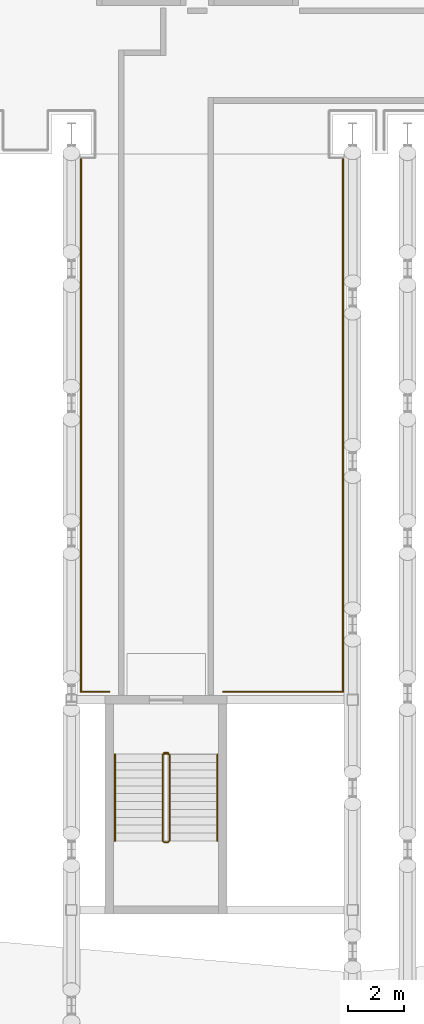
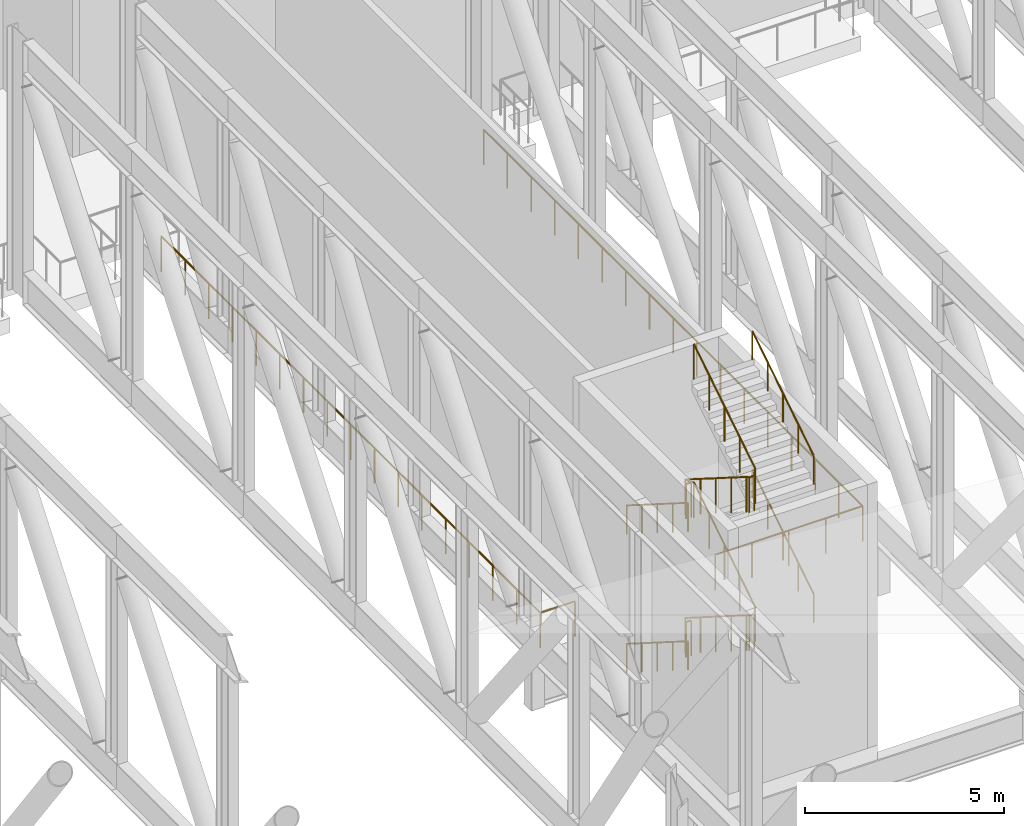
# One storey, part 24 of 33: 10 railings.
"""IFC4 building model written with IfcOpenShell, lengths in metres."""

from ifc_helpers import new_model, si_unit, direction, frame, origin, origin_2d, place, context, subcontext, project, spatial, circle, extrude, material, type_object, element, save


model = new_model("IFC4")

# Units and contexts
model_context = context("Model", 3, precision=1e-05, world=origin(), true_north=direction((0.0, 1.0)))
body_context = subcontext(model_context, "Body", "Model", "MODEL_VIEW")
ifc_project = project(units=[si_unit("LENGTHUNIT", "METRE"), si_unit("AREAUNIT", "SQUARE_METRE"), si_unit("VOLUMEUNIT", "CUBIC_METRE"), si_unit("PLANEANGLEUNIT", "RADIAN"), si_unit("MASSUNIT", "GRAM", prefix="KILO")], contexts=[model_context])

# Site, building, storey
site_placement = place(None, origin())
site = spatial("IfcSite", under=ifc_project, at=site_placement, CompositionType="ELEMENT")
building_placement = place(site_placement, origin())
building = spatial("IfcBuilding", under=site, at=building_placement, Name="Wharfspan Tower", CompositionType="ELEMENT")
storey_placement = place(building_placement, frame((0.0, 0.0, 33.0)))
storey = spatial("IfcBuildingStorey", under=building, at=storey_placement, Name="L05", CompositionType="ELEMENT", Elevation=33.0)

# Railings
ifc_material = material(Name="Steel S355J2", Category="steel")
railing_type_1 = type_object("IfcRailingType", Name="GUARD 1100 STEEL AND GLASS", PredefinedType="GUARDRAIL", material=ifc_material)
railing_1_placement = place(storey_placement, frame((45.701904, 25.060059, 0.0)))
element("IfcRailing", 1, at=railing_1_placement, inside=storey, type_object=railing_type_1, Name="Guard on the deck edge", PredefinedType="GUARDRAIL", context=body_context, shape_type="SweptSolid", body=[
    extrude(circle(Radius=0.024902, at=origin_2d()), frame((0.0, 0.0, 1.075195), z_axis=(0.0, -1.0, 0.0), x_axis=(1.0, 0.0, 0.0)), (0.0, 0.0, 1.0), 19.05957),
    extrude(circle(Radius=0.02002, at=origin_2d()), origin(), (0.0, 0.0, 1.0), 1.050049),
    extrude(circle(Radius=0.02002, at=origin_2d()), frame((0.0, -1.191162, 0.0)), (0.0, 0.0, 1.0), 1.050049),
    extrude(circle(Radius=0.02002, at=origin_2d()), frame((0.0, -2.382324, 0.0)), (0.0, 0.0, 1.0), 1.050049),
    extrude(circle(Radius=0.02002, at=origin_2d()), frame((0.0, -3.57373, 0.0)), (0.0, 0.0, 1.0), 1.050049),
    extrude(circle(Radius=0.02002, at=origin_2d()), frame((0.0, -4.764893, 0.0)), (0.0, 0.0, 1.0), 1.050049),
    extrude(circle(Radius=0.02002, at=origin_2d()), frame((0.0, -5.956055, 0.0)), (0.0, 0.0, 1.0), 1.050049),
    extrude(circle(Radius=0.02002, at=origin_2d()), frame((0.0, -7.147461, 0.0)), (0.0, 0.0, 1.0), 1.050049),
    extrude(circle(Radius=0.02002, at=origin_2d()), frame((0.0, -8.338623, 0.0)), (0.0, 0.0, 1.0), 1.050049),
    extrude(circle(Radius=0.02002, at=origin_2d()), frame((0.0, -9.529785, 0.0)), (0.0, 0.0, 1.0), 1.050049),
    extrude(circle(Radius=0.02002, at=origin_2d()), frame((0.0, -10.720947, 0.0)), (0.0, 0.0, 1.0), 1.050049),
    extrude(circle(Radius=0.02002, at=origin_2d()), frame((0.0, -11.912109, 0.0)), (0.0, 0.0, 1.0), 1.050049),
    extrude(circle(Radius=0.02002, at=origin_2d()), frame((0.0, -13.103516, 0.0)), (0.0, 0.0, 1.0), 1.050049),
    extrude(circle(Radius=0.02002, at=origin_2d()), frame((0.0, -14.294678, 0.0)), (0.0, 0.0, 1.0), 1.050049),
    extrude(circle(Radius=0.02002, at=origin_2d()), frame((0.0, -15.48584, 0.0)), (0.0, 0.0, 1.0), 1.050049),
    extrude(circle(Radius=0.02002, at=origin_2d()), frame((0.0, -16.677246, 0.0)), (0.0, 0.0, 1.0), 1.050049),
    extrude(circle(Radius=0.02002, at=origin_2d()), frame((0.0, -17.868408, 0.0)), (0.0, 0.0, 1.0), 1.050049),
    extrude(circle(Radius=0.02002, at=origin_2d()), frame((0.0, -19.05957, 0.0)), (0.0, 0.0, 1.0), 1.050049),
])
railing_2_placement = place(storey_placement, frame((45.701904, 6.000488, 0.0)))
element("IfcRailing", 2, at=railing_2_placement, inside=storey, type_object=railing_type_1, Name="Guard on the deck edge", PredefinedType="GUARDRAIL", context=body_context, shape_type="SweptSolid", body=[
    extrude(circle(Radius=0.024902, at=origin_2d()), frame((0.0, 0.0, 1.075195), z_axis=(-1.0, 0.0, 0.0), x_axis=(0.0, -1.0, 0.0)), (0.0, 0.0, 1.0), 4.283691),
    extrude(circle(Radius=0.02002, at=origin_2d()), origin(), (0.0, 0.0, 1.0), 1.050049),
    extrude(circle(Radius=0.02002, at=origin_2d()), frame((-1.070801, 0.0, 0.0)), (0.0, 0.0, 1.0), 1.050049),
    extrude(circle(Radius=0.02002, at=origin_2d()), frame((-2.141846, 0.0, 0.0)), (0.0, 0.0, 1.0), 1.050049),
    extrude(circle(Radius=0.02002, at=origin_2d()), frame((-3.212891, 0.0, 0.0)), (0.0, 0.0, 1.0), 1.050049),
    extrude(circle(Radius=0.02002, at=origin_2d()), frame((-4.283691, 0.0, 0.0)), (0.0, 0.0, 1.0), 1.050049),
])
railing_3_placement = place(storey_placement, frame((37.348389, 6.000488, 0.0)))
element("IfcRailing", 3, at=railing_3_placement, inside=storey, type_object=railing_type_1, Name="Guard on the deck edge", PredefinedType="GUARDRAIL", context=body_context, shape_type="SweptSolid", body=[
    extrude(circle(Radius=0.024902, at=origin_2d()), frame((0.0, 0.0, 1.075195), z_axis=(-1.0, 0.0, 0.0), x_axis=(0.0, -1.0, 0.0)), (0.0, 0.0, 1.0), 1.008301),
    extrude(circle(Radius=0.02002, at=origin_2d()), origin(), (0.0, 0.0, 1.0), 1.050049),
    extrude(circle(Radius=0.02002, at=origin_2d()), frame((-1.008301, 0.0, 0.0)), (0.0, 0.0, 1.0), 1.050049),
])
railing_4_placement = place(storey_placement, frame((36.340088, 6.000488, 0.0)))
element("IfcRailing", 4, at=railing_4_placement, inside=storey, type_object=railing_type_1, Name="Guard on the deck edge", PredefinedType="GUARDRAIL", context=body_context, shape_type="SweptSolid", body=[
    extrude(circle(Radius=0.024902, at=origin_2d()), frame((0.0, 0.0, 1.075195), z_axis=(0.0, 1.0, 0.0), x_axis=(-1.0, 0.0, 0.0)), (0.0, 0.0, 1.0), 19.05957),
    extrude(circle(Radius=0.02002, at=origin_2d()), origin(), (0.0, 0.0, 1.0), 1.050049),
    extrude(circle(Radius=0.02002, at=origin_2d()), frame((0.0, 1.191162, 0.0)), (0.0, 0.0, 1.0), 1.050049),
    extrude(circle(Radius=0.02002, at=origin_2d()), frame((0.0, 2.382324, 0.0)), (0.0, 0.0, 1.0), 1.050049),
    extrude(circle(Radius=0.02002, at=origin_2d()), frame((0.0, 3.57373, 0.0)), (0.0, 0.0, 1.0), 1.050049),
    extrude(circle(Radius=0.02002, at=origin_2d()), frame((0.0, 4.764893, 0.0)), (0.0, 0.0, 1.0), 1.050049),
    extrude(circle(Radius=0.02002, at=origin_2d()), frame((0.0, 5.956055, 0.0)), (0.0, 0.0, 1.0), 1.050049),
    extrude(circle(Radius=0.02002, at=origin_2d()), frame((0.0, 7.147461, 0.0)), (0.0, 0.0, 1.0), 1.050049),
    extrude(circle(Radius=0.02002, at=origin_2d()), frame((0.0, 8.338623, 0.0)), (0.0, 0.0, 1.0), 1.050049),
    extrude(circle(Radius=0.02002, at=origin_2d()), frame((0.0, 9.529785, 0.0)), (0.0, 0.0, 1.0), 1.050049),
    extrude(circle(Radius=0.02002, at=origin_2d()), frame((0.0, 10.720947, 0.0)), (0.0, 0.0, 1.0), 1.050049),
    extrude(circle(Radius=0.02002, at=origin_2d()), frame((0.0, 11.912109, 0.0)), (0.0, 0.0, 1.0), 1.050049),
    extrude(circle(Radius=0.02002, at=origin_2d()), frame((0.0, 13.103516, 0.0)), (0.0, 0.0, 1.0), 1.050049),
    extrude(circle(Radius=0.02002, at=origin_2d()), frame((0.0, 14.294678, 0.0)), (0.0, 0.0, 1.0), 1.050049),
    extrude(circle(Radius=0.02002, at=origin_2d()), frame((0.0, 15.48584, 0.0)), (0.0, 0.0, 1.0), 1.050049),
    extrude(circle(Radius=0.02002, at=origin_2d()), frame((0.0, 16.677246, 0.0)), (0.0, 0.0, 1.0), 1.050049),
    extrude(circle(Radius=0.02002, at=origin_2d()), frame((0.0, 17.868408, 0.0)), (0.0, 0.0, 1.0), 1.050049),
    extrude(circle(Radius=0.02002, at=origin_2d()), frame((0.0, 19.05957, 0.0)), (0.0, 0.0, 1.0), 1.050049),
])
railing_type_2 = type_object("IfcRailingType", Name="Stair guard 1100", PredefinedType="GUARDRAIL", material=ifc_material)
railing_5_placement = place(storey_placement, frame((39.258301, 3.760498, 0.177002)))
element("IfcRailing", 5, at=railing_5_placement, inside=storey, type_object=railing_type_2, Name="L05 ST4 stair guard 1", PredefinedType="GUARDRAIL", context=body_context, shape_type="SweptSolid", body=[
    extrude(circle(Radius=0.023926, at=origin_2d()), frame((0.0, 0.0, 1.076172), z_axis=(0.0, -0.845137, 0.53455), x_axis=(1.0, 0.0, 0.0)), (0.0, 0.0, 1.0), 3.644287),
    extrude(circle(Radius=0.023926, at=origin_2d()), frame((0.0, -3.079834, 3.023926), z_axis=(0.707107, -0.707107, 0.0), x_axis=(0.707107, 0.707107, 0.0)), (0.0, 0.0, 1.0), 0.070801),
    extrude(circle(Radius=0.023926, at=origin_2d()), frame((0.050049, -3.129883, 3.023926), z_axis=(1.0, 0.0, 0.0), x_axis=(0.0, 1.0, 0.0)), (0.0, 0.0, 1.0), 0.149902),
    extrude(circle(Radius=0.023926, at=origin_2d()), frame((0.199951, -3.129883, 3.023926), z_axis=(0.262546, 0.262546, 0.928515), x_axis=(-0.707107, 0.707107, 0.0)), (0.0, 0.0, 1.0), 0.190674),
    extrude(circle(Radius=0.023926, at=origin_2d()), frame((0.25, -3.079834, 3.201172), z_axis=(0.0, 0.845137, 0.53455), x_axis=(-1.0, 0.0, 0.0)), (0.0, 0.0, 1.0), 3.644287),
    extrude(circle(Radius=0.023926, at=origin_2d()), frame((0.25, 0.0, 5.148926), z_axis=(-0.970073, 0.242814, 0.0), x_axis=(-0.242814, -0.970073, 0.0)), (0.0, 0.0, 1.0), 0.206055),
    extrude(circle(Radius=0.023926, at=origin_2d()), frame((0.050049, 0.050049, 5.148926), z_axis=(1.0, 0.0, 0.0), x_axis=(0.0, 1.0, 0.0)), (0.0, 0.0, 1.0), 0.149902),
    extrude(circle(Radius=0.023926, at=origin_2d()), frame((0.199951, 0.050049, 5.148926), z_axis=(-0.735955, -0.184214, 0.651487), x_axis=(0.242813, -0.970075, -3e-06)), (0.0, 0.0, 1.0), 0.271729),
    extrude(circle(Radius=0.023926, at=origin_2d()), frame((0.0, 0.0, 5.326172), z_axis=(0.0, -0.845137, 0.53455), x_axis=(1.0, 0.0, 0.0)), (0.0, 0.0, 1.0), 3.644287),
    extrude(circle(Radius=0.023926, at=origin_2d()), frame((0.0, -3.079834, 7.273926), z_axis=(0.707107, -0.707107, 0.0), x_axis=(0.707107, 0.707107, 0.0)), (0.0, 0.0, 1.0), 0.070801),
    extrude(circle(Radius=0.023926, at=origin_2d()), frame((0.050049, -3.129883, 7.273926), z_axis=(1.0, 0.0, 0.0), x_axis=(0.0, 1.0, 0.0)), (0.0, 0.0, 1.0), 0.149902),
    extrude(circle(Radius=0.023926, at=origin_2d()), frame((0.199951, -3.129883, 7.273926), z_axis=(0.262546, 0.262546, 0.928515), x_axis=(-0.707107, 0.707107, 0.0)), (0.0, 0.0, 1.0), 0.190674),
    extrude(circle(Radius=0.023926, at=origin_2d()), frame((0.25, -3.079834, 7.451172), z_axis=(0.0, 0.845137, 0.53455), x_axis=(-1.0, 0.0, 0.0)), (0.0, 0.0, 1.0), 3.644287),
    extrude(circle(Radius=0.020996, at=origin_2d()), origin(), (0.0, 0.0, 1.0), 1.052002),
    extrude(circle(Radius=0.020996, at=origin_2d()), frame((0.0, -0.77002, 0.487061)), (0.0, 0.0, 1.0), 1.052002),
    extrude(circle(Radius=0.020996, at=origin_2d()), frame((0.0, -1.540039, 0.974121)), (0.0, 0.0, 1.0), 1.052002),
    extrude(circle(Radius=0.020996, at=origin_2d()), frame((0.0, -2.309814, 1.460938)), (0.0, 0.0, 1.0), 1.052002),
    extrude(circle(Radius=0.020996, at=origin_2d()), frame((0.0, -3.079834, 1.947998)), (0.0, 0.0, 1.0), 1.052002),
    extrude(circle(Radius=0.020996, at=origin_2d()), frame((0.050049, -3.129883, 1.947998)), (0.0, 0.0, 1.0), 1.052002),
    extrude(circle(Radius=0.020996, at=origin_2d()), frame((0.199951, -3.129883, 1.947998)), (0.0, 0.0, 1.0), 1.052002),
    extrude(circle(Radius=0.020996, at=origin_2d()), frame((0.25, -3.079834, 2.125)), (0.0, 0.0, 1.0), 1.052002),
    extrude(circle(Radius=0.020996, at=origin_2d()), frame((0.25, -2.309814, 2.612061)), (0.0, 0.0, 1.0), 1.052002),
    extrude(circle(Radius=0.020996, at=origin_2d()), frame((0.25, -1.540039, 3.099121)), (0.0, 0.0, 1.0), 1.052002),
    extrude(circle(Radius=0.020996, at=origin_2d()), frame((0.25, -0.77002, 3.585938)), (0.0, 0.0, 1.0), 1.052002),
    extrude(circle(Radius=0.020996, at=origin_2d()), frame((0.25, 0.0, 4.072998)), (0.0, 0.0, 1.0), 1.052002),
    extrude(circle(Radius=0.020996, at=origin_2d()), frame((0.050049, 0.050049, 4.072998)), (0.0, 0.0, 1.0), 1.052002),
    extrude(circle(Radius=0.020996, at=origin_2d()), frame((0.199951, 0.050049, 4.072998)), (0.0, 0.0, 1.0), 1.052002),
    extrude(circle(Radius=0.020996, at=origin_2d()), frame((0.0, 0.0, 4.25)), (0.0, 0.0, 1.0), 1.052002),
    extrude(circle(Radius=0.020996, at=origin_2d()), frame((0.0, -0.77002, 4.737061)), (0.0, 0.0, 1.0), 1.052002),
    extrude(circle(Radius=0.020996, at=origin_2d()), frame((0.0, -1.540039, 5.224121)), (0.0, 0.0, 1.0), 1.052002),
    extrude(circle(Radius=0.020996, at=origin_2d()), frame((0.0, -2.309814, 5.710938)), (0.0, 0.0, 1.0), 1.052002),
    extrude(circle(Radius=0.020996, at=origin_2d()), frame((0.0, -3.079834, 6.197998)), (0.0, 0.0, 1.0), 1.052002),
    extrude(circle(Radius=0.020996, at=origin_2d()), frame((0.050049, -3.129883, 6.197998)), (0.0, 0.0, 1.0), 1.052002),
    extrude(circle(Radius=0.020996, at=origin_2d()), frame((0.199951, -3.129883, 6.197998)), (0.0, 0.0, 1.0), 1.052002),
    extrude(circle(Radius=0.020996, at=origin_2d()), frame((0.25, -3.079834, 6.375)), (0.0, 0.0, 1.0), 1.052002),
    extrude(circle(Radius=0.020996, at=origin_2d()), frame((0.25, -2.309814, 6.862061)), (0.0, 0.0, 1.0), 1.052002),
    extrude(circle(Radius=0.020996, at=origin_2d()), frame((0.25, -1.540039, 7.349121)), (0.0, 0.0, 1.0), 1.052002),
    extrude(circle(Radius=0.020996, at=origin_2d()), frame((0.25, -0.77002, 7.835938)), (0.0, 0.0, 1.0), 1.052002),
    extrude(circle(Radius=0.020996, at=origin_2d()), frame((0.25, 0.0, 8.322998)), (0.0, 0.0, 1.0), 1.052002),
])
railing_6_placement = place(storey_placement, frame((39.30835, 3.810547, 0.0)))
element("IfcRailing", 6, at=railing_6_placement, inside=storey, type_object=railing_type_2, Name="L05 ST4 stair guard 2", PredefinedType="GUARDRAIL", context=body_context, shape_type="SweptSolid", body=[
    extrude(circle(Radius=0.023926, at=origin_2d()), frame((0.0, 0.0, 1.076172), z_axis=(1.0, 0.0, 0.0), x_axis=(0.0, 1.0, 0.0)), (0.0, 0.0, 1.0), 0.149902),
    extrude(circle(Radius=0.020996, at=origin_2d()), origin(), (0.0, 0.0, 1.0), 1.052002),
    extrude(circle(Radius=0.020996, at=origin_2d()), frame((0.149902, 0.0, 0.0)), (0.0, 0.0, 1.0), 1.052002),
])
railing_type_3 = type_object("IfcRailingType", Name="Stair handrail 900", PredefinedType="HANDRAIL", material=ifc_material)
railing_7_placement = place(storey_placement, frame((37.55835, 3.760498, 0.177002)))
element("IfcRailing", 7, at=railing_7_placement, inside=storey, type_object=railing_type_3, Name="L05 ST4 stair handrail 1", PredefinedType="HANDRAIL", context=body_context, shape_type="SweptSolid", body=[
    extrude(circle(Radius=0.023926, at=origin_2d()), frame((0.0, 0.0, 0.875977), z_axis=(0.0, -0.845137, 0.53455), x_axis=(1.0, 0.0, 0.0)), (0.0, 0.0, 1.0), 3.644287),
    extrude(circle(Radius=0.020996, at=origin_2d()), origin(), (0.0, 0.0, 1.0), 0.851807),
    extrude(circle(Radius=0.020996, at=origin_2d()), frame((0.0, -0.77002, 0.487061)), (0.0, 0.0, 1.0), 0.851807),
    extrude(circle(Radius=0.020996, at=origin_2d()), frame((0.0, -1.540039, 0.974121)), (0.0, 0.0, 1.0), 0.851807),
    extrude(circle(Radius=0.020996, at=origin_2d()), frame((0.0, -2.309814, 1.460938)), (0.0, 0.0, 1.0), 0.851807),
    extrude(circle(Radius=0.020996, at=origin_2d()), frame((0.0, -3.079834, 1.947998)), (0.0, 0.0, 1.0), 0.851807),
])
railing_8_placement = place(storey_placement, frame((41.208252, 0.680664, 2.302002)))
element("IfcRailing", 8, at=railing_8_placement, inside=storey, type_object=railing_type_3, Name="L05 ST4 stair handrail 2", PredefinedType="HANDRAIL", context=body_context, shape_type="SweptSolid", body=[
    extrude(circle(Radius=0.023926, at=origin_2d()), frame((0.0, 0.0, 0.875977), z_axis=(0.0, 0.845137, 0.53455), x_axis=(-1.0, 0.0, 0.0)), (0.0, 0.0, 1.0), 3.644287),
    extrude(circle(Radius=0.020996, at=origin_2d()), origin(), (0.0, 0.0, 1.0), 0.851807),
    extrude(circle(Radius=0.020996, at=origin_2d()), frame((0.0, 0.77002, 0.487061)), (0.0, 0.0, 1.0), 0.851807),
    extrude(circle(Radius=0.020996, at=origin_2d()), frame((0.0, 1.540039, 0.974121)), (0.0, 0.0, 1.0), 0.851807),
    extrude(circle(Radius=0.020996, at=origin_2d()), frame((0.0, 2.309814, 1.460938)), (0.0, 0.0, 1.0), 0.851807),
    extrude(circle(Radius=0.020996, at=origin_2d()), frame((0.0, 3.079834, 1.947998)), (0.0, 0.0, 1.0), 0.851807),
])
railing_9_placement = place(storey_placement, frame((37.55835, 3.760498, 4.427002)))
element("IfcRailing", 9, at=railing_9_placement, inside=storey, type_object=railing_type_3, Name="L05 ST4 stair handrail 3", PredefinedType="HANDRAIL", context=body_context, shape_type="SweptSolid", body=[
    extrude(circle(Radius=0.023926, at=origin_2d()), frame((0.0, 0.0, 0.875977), z_axis=(0.0, -0.845137, 0.53455), x_axis=(1.0, 0.0, 0.0)), (0.0, 0.0, 1.0), 3.644287),
    extrude(circle(Radius=0.020996, at=origin_2d()), origin(), (0.0, 0.0, 1.0), 0.851807),
    extrude(circle(Radius=0.020996, at=origin_2d()), frame((0.0, -0.77002, 0.487061)), (0.0, 0.0, 1.0), 0.851807),
    extrude(circle(Radius=0.020996, at=origin_2d()), frame((0.0, -1.540039, 0.974121)), (0.0, 0.0, 1.0), 0.851807),
    extrude(circle(Radius=0.020996, at=origin_2d()), frame((0.0, -2.309814, 1.460938)), (0.0, 0.0, 1.0), 0.851807),
    extrude(circle(Radius=0.020996, at=origin_2d()), frame((0.0, -3.079834, 1.947998)), (0.0, 0.0, 1.0), 0.851807),
])
railing_10_placement = place(storey_placement, frame((41.208252, 0.680664, 6.552002)))
element("IfcRailing", 10, at=railing_10_placement, inside=storey, type_object=railing_type_3, Name="L05 ST4 stair handrail 4", PredefinedType="HANDRAIL", context=body_context, shape_type="SweptSolid", body=[
    extrude(circle(Radius=0.023926, at=origin_2d()), frame((0.0, 0.0, 0.875977), z_axis=(0.0, 0.845137, 0.53455), x_axis=(-1.0, 0.0, 0.0)), (0.0, 0.0, 1.0), 3.644287),
    extrude(circle(Radius=0.020996, at=origin_2d()), origin(), (0.0, 0.0, 1.0), 0.851807),
    extrude(circle(Radius=0.020996, at=origin_2d()), frame((0.0, 0.77002, 0.487061)), (0.0, 0.0, 1.0), 0.851807),
    extrude(circle(Radius=0.020996, at=origin_2d()), frame((0.0, 1.540039, 0.974121)), (0.0, 0.0, 1.0), 0.851807),
    extrude(circle(Radius=0.020996, at=origin_2d()), frame((0.0, 2.309814, 1.460938)), (0.0, 0.0, 1.0), 0.851807),
    extrude(circle(Radius=0.020996, at=origin_2d()), frame((0.0, 3.079834, 1.947998)), (0.0, 0.0, 1.0), 0.851807),
])

save(model, "model.ifc")
